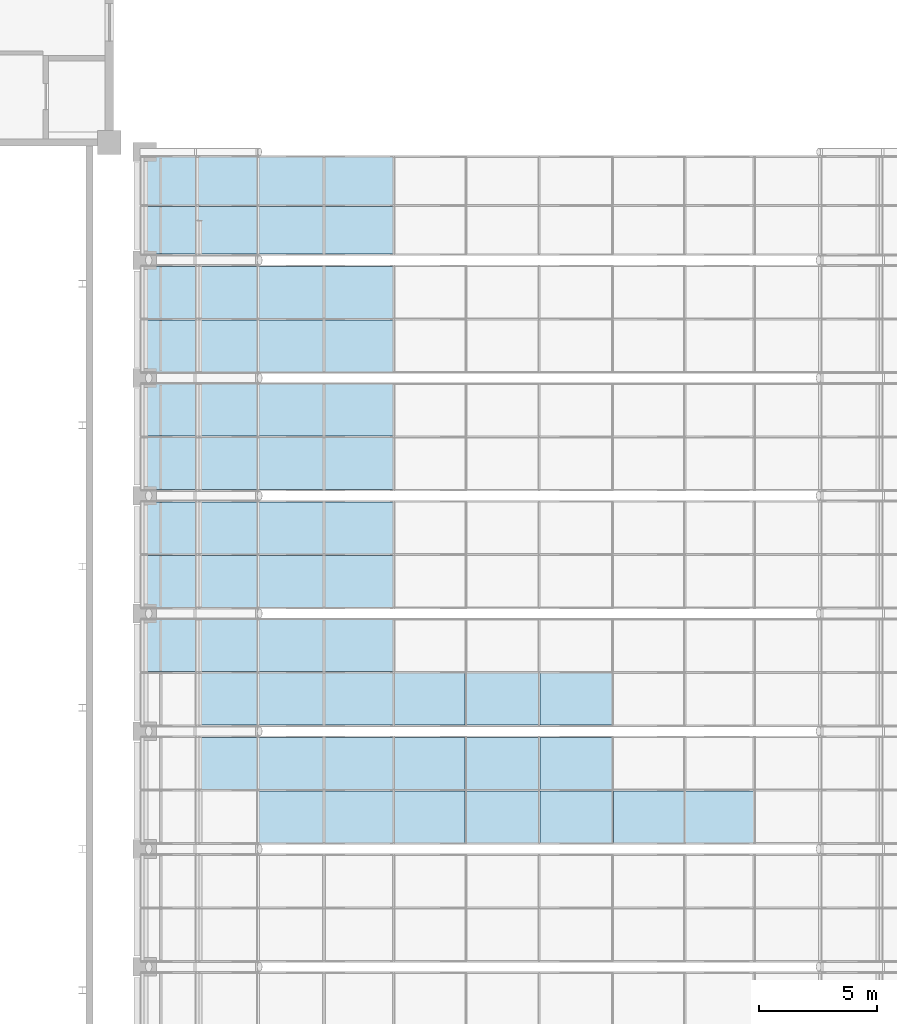
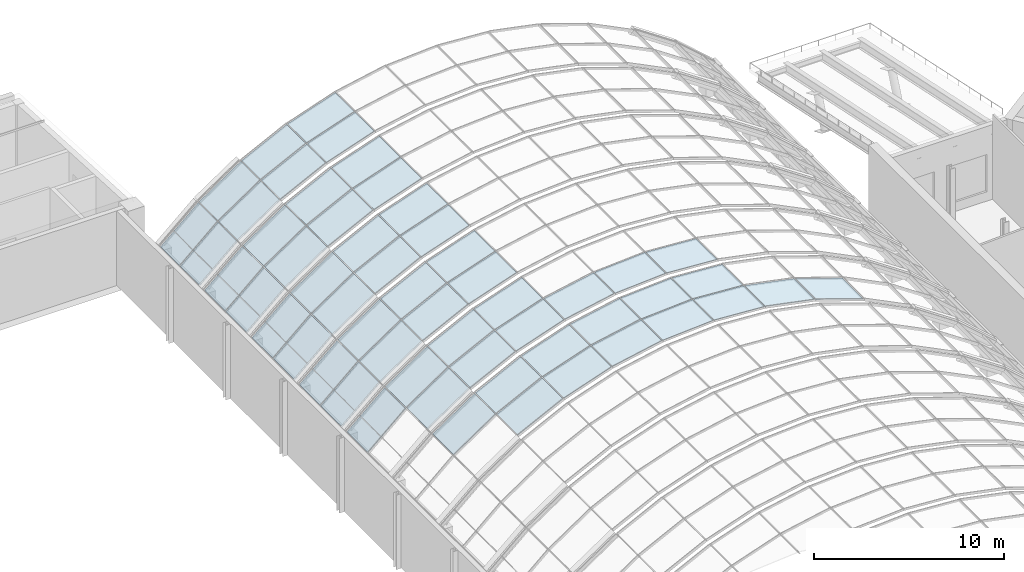
# One storey, part 115 of 182: 55 plates, 6 elements without a shape of their own.
"""IFC4 building model written with IfcOpenShell, lengths in metres."""

from ifc_helpers import new_model, si_unit, direction, frame, origin, place, context, subcontext, project, spatial, polyline, outline, extrude, material, layer, layer_set, type_object, element, aggregate, save


model = new_model("IFC4")

# Units and contexts
model_context = context("Model", 3, precision=1e-05, world=origin(), true_north=direction((0.0, 1.0)))
body_context = subcontext(model_context, "Body", "Model", "MODEL_VIEW")
ifc_project = project(units=[si_unit("LENGTHUNIT", "METRE"), si_unit("AREAUNIT", "SQUARE_METRE"), si_unit("VOLUMEUNIT", "CUBIC_METRE"), si_unit("PLANEANGLEUNIT", "RADIAN"), si_unit("MASSUNIT", "GRAM", prefix="KILO")], contexts=[model_context])

# Site, building, storey
site_placement = place(None, origin())
site = spatial("IfcSite", under=ifc_project, at=site_placement, CompositionType="ELEMENT")
building_placement = place(site_placement, origin())
building = spatial("IfcBuilding", under=site, at=building_placement, Name="Okhra Congress Centre", CompositionType="ELEMENT")
storey_placement = place(building_placement, frame((0.0, 0.0, 7.199951171875)))
storey = spatial("IfcBuildingStorey", under=building, at=storey_placement, Name="L01", CompositionType="ELEMENT", Elevation=7.199951171875)

# Curtain wall, plate
ifc_material_1 = material(Name="Aluminium frame with triple glazing", Category="aluminium")
curtain_wall_type = type_object("IfcCurtainWallType", Name="Glazed vault bay curtain wall", PredefinedType="NOTDEFINED", material=ifc_material_1)
curtain_wall_1_placement = place(storey_placement, origin())
curtain_wall_1 = element("IfcCurtainWall", 1, at=curtain_wall_1_placement, inside=storey, type_object=curtain_wall_type, Name="Vault glazing bay 23", PredefinedType="NOTDEFINED")
ifc_material_2 = material(Name="Laminated toughened glass unit, low-e coating", Category="glass")
ifc_layer_1 = layer(ifc_material_2, 0.035888671875)
ifc_layer_set_1 = layer_set([ifc_layer_1], Name="Laminated safety glazing unit 36 mm")
plate_type_1 = type_object("IfcPlateType", Name="Laminated safety glazing unit 36 mm", PredefinedType="CURTAIN_PANEL", material=ifc_layer_set_1)
plate_1_placement = place(storey_placement, frame((157.740478515625, 188.530029296875, 4.013427734375), z_axis=(-0.55946738617, 0.0, 0.82885236551), x_axis=(0.82885236551, 0.0, 0.55946738617)))
plate_1 = element("IfcPlate", 2, at=plate_1_placement, type_object=plate_type_1, Name="Vault glass panel 23.2.2", PredefinedType="CURTAIN_PANEL", context=body_context, shape_type="SweptSolid", body=[
    extrude(outline(polyline([(0.0, 0.0), (3.0668817430899797, 0.0), (3.0668817430899797, 2.206787109375), (0.0, 2.206787109375), (0.0, 0.0)])), origin(), (0.0, 0.0, -1.0), 0.035888671875),
])

# Curtain wall, plates
curtain_wall_2_placement = place(storey_placement, origin())
curtain_wall_2 = element("IfcCurtainWall", 3, at=curtain_wall_2_placement, inside=storey, type_object=curtain_wall_type, Name="Vault glazing bay 24", PredefinedType="NOTDEFINED")
plate_2_placement = place(storey_placement, frame((157.740478515625, 191.26318359375, 4.013427734375), z_axis=(-0.55946738617, 0.0, 0.82885236551), x_axis=(0.82885236551, 0.0, 0.55946738617)))
plate_2 = element("IfcPlate", 4, at=plate_2_placement, type_object=plate_type_1, Name="Vault glass panel 24.1.2", PredefinedType="CURTAIN_PANEL", context=body_context, shape_type="SweptSolid", body=[
    extrude(outline(polyline([(0.0, 0.0), (3.0668817430899797, 0.0), (3.0668817430899797, 2.206787109375), (0.0, 2.206787109375), (0.0, 0.0)])), origin(), (0.0, 0.0, -1.0), 0.035888671875),
])
plate_3_placement = place(storey_placement, frame((155.3994140625, 193.530029296875, 1.94140625), z_axis=(-0.663696509452, 0.0, 0.748001967472), x_axis=(0.748001967472, 0.0, 0.663696509452)))
plate_3 = element("IfcPlate", 5, at=plate_3_placement, type_object=plate_type_1, Name="Vault glass panel 24.2.1", PredefinedType="CURTAIN_PANEL", context=body_context, shape_type="SweptSolid", body=[
    extrude(outline(polyline([(0.0, 0.0), (3.066763741617069, 0.0), (3.066763741617069, 2.206787109375), (0.0, 2.206787109375), (0.0, 0.0)])), origin(), (0.0, 0.0, -1.0), 0.035888671875),
])
plate_4_placement = place(storey_placement, frame((157.740478515625, 193.530029296875, 4.013427734375), z_axis=(-0.55946738617, 0.0, 0.82885236551), x_axis=(0.82885236551, 0.0, 0.55946738617)))
plate_4 = element("IfcPlate", 6, at=plate_4_placement, type_object=plate_type_1, Name="Vault glass panel 24.2.2", PredefinedType="CURTAIN_PANEL", context=body_context, shape_type="SweptSolid", body=[
    extrude(outline(polyline([(0.0, 0.0), (3.0668817430899797, 0.0), (3.0668817430899797, 2.206787109375), (0.0, 2.206787109375), (0.0, 0.0)])), origin(), (0.0, 0.0, -1.0), 0.035888671875),
])

curtain_wall_3_placement = place(storey_placement, origin())
curtain_wall_3 = element("IfcCurtainWall", 7, at=curtain_wall_3_placement, inside=storey, type_object=curtain_wall_type, Name="Vault glazing bay 25", PredefinedType="NOTDEFINED")
plate_5_placement = place(storey_placement, frame((155.3994140625, 196.26318359375, 1.94140625), z_axis=(-0.663696509452, 0.0, 0.748001967472), x_axis=(0.748001967472, 0.0, 0.663696509452)))
plate_5 = element("IfcPlate", 8, at=plate_5_placement, type_object=plate_type_1, Name="Vault glass panel 25.1.1", PredefinedType="CURTAIN_PANEL", context=body_context, shape_type="SweptSolid", body=[
    extrude(outline(polyline([(0.0, 0.0), (3.066763741617069, 0.0), (3.066763741617069, 2.206787109375), (0.0, 2.206787109375), (0.0, 0.0)])), origin(), (0.0, 0.0, -1.0), 0.035888671875),
])
plate_6_placement = place(storey_placement, frame((157.740478515625, 196.26318359375, 4.013427734375), z_axis=(-0.55946738617, 0.0, 0.82885236551), x_axis=(0.82885236551, 0.0, 0.55946738617)))
plate_6 = element("IfcPlate", 9, at=plate_6_placement, type_object=plate_type_1, Name="Vault glass panel 25.1.2", PredefinedType="CURTAIN_PANEL", context=body_context, shape_type="SweptSolid", body=[
    extrude(outline(polyline([(0.0, 0.0), (3.0668817430899797, 0.0), (3.0668817430899797, 2.206787109375), (0.0, 2.206787109375), (0.0, 0.0)])), origin(), (0.0, 0.0, -1.0), 0.035888671875),
])
plate_7_placement = place(storey_placement, frame((155.3994140625, 198.530029296875, 1.94140625), z_axis=(-0.663696509452, 0.0, 0.748001967472), x_axis=(0.748001967472, 0.0, 0.663696509452)))
plate_7 = element("IfcPlate", 10, at=plate_7_placement, type_object=plate_type_1, Name="Vault glass panel 25.2.1", PredefinedType="CURTAIN_PANEL", context=body_context, shape_type="SweptSolid", body=[
    extrude(outline(polyline([(0.0, 0.0), (3.066763741617069, 0.0), (3.066763741617069, 2.206787109375), (0.0, 2.206787109375), (0.0, 0.0)])), origin(), (0.0, 0.0, -1.0), 0.035888671875),
])
plate_8_placement = place(storey_placement, frame((157.740478515625, 198.530029296875, 4.013427734375), z_axis=(-0.55946738617, 0.0, 0.82885236551), x_axis=(0.82885236551, 0.0, 0.55946738617)))
plate_8 = element("IfcPlate", 11, at=plate_8_placement, type_object=plate_type_1, Name="Vault glass panel 25.2.2", PredefinedType="CURTAIN_PANEL", context=body_context, shape_type="SweptSolid", body=[
    extrude(outline(polyline([(0.0, 0.0), (3.0668817430899797, 0.0), (3.0668817430899797, 2.206787109375), (0.0, 2.206787109375), (0.0, 0.0)])), origin(), (0.0, 0.0, -1.0), 0.035888671875),
])

curtain_wall_4_placement = place(storey_placement, origin())
curtain_wall_4 = element("IfcCurtainWall", 12, at=curtain_wall_4_placement, inside=storey, type_object=curtain_wall_type, Name="Vault glazing bay 26", PredefinedType="NOTDEFINED")
plate_9_placement = place(storey_placement, frame((155.3994140625, 201.26318359375, 1.94140625), z_axis=(-0.663696509452, 0.0, 0.748001967472), x_axis=(0.748001967472, 0.0, 0.663696509452)))
plate_9 = element("IfcPlate", 13, at=plate_9_placement, type_object=plate_type_1, Name="Vault glass panel 26.1.1", PredefinedType="CURTAIN_PANEL", context=body_context, shape_type="SweptSolid", body=[
    extrude(outline(polyline([(0.0, 0.0), (3.066763741617069, 0.0), (3.066763741617069, 2.206787109375), (0.0, 2.206787109375), (0.0, 0.0)])), origin(), (0.0, 0.0, -1.0), 0.035888671875),
])
plate_10_placement = place(storey_placement, frame((157.740478515625, 201.26318359375, 4.013427734375), z_axis=(-0.55946738617, 0.0, 0.82885236551), x_axis=(0.82885236551, 0.0, 0.55946738617)))
plate_10 = element("IfcPlate", 14, at=plate_10_placement, type_object=plate_type_1, Name="Vault glass panel 26.1.2", PredefinedType="CURTAIN_PANEL", context=body_context, shape_type="SweptSolid", body=[
    extrude(outline(polyline([(0.0, 0.0), (3.0668817430899797, 0.0), (3.0668817430899797, 2.206787109375), (0.0, 2.206787109375), (0.0, 0.0)])), origin(), (0.0, 0.0, -1.0), 0.035888671875),
])
plate_11_placement = place(storey_placement, frame((155.3994140625, 203.530029296875, 1.94140625), z_axis=(-0.663696509452, 0.0, 0.748001967472), x_axis=(0.748001967472, 0.0, 0.663696509452)))
plate_11 = element("IfcPlate", 15, at=plate_11_placement, type_object=plate_type_1, Name="Vault glass panel 26.2.1", PredefinedType="CURTAIN_PANEL", context=body_context, shape_type="SweptSolid", body=[
    extrude(outline(polyline([(0.0, 0.0), (3.066763741617069, 0.0), (3.066763741617069, 2.206787109375), (0.0, 2.206787109375), (0.0, 0.0)])), origin(), (0.0, 0.0, -1.0), 0.035888671875),
])
plate_12_placement = place(storey_placement, frame((157.740478515625, 203.530029296875, 4.013427734375), z_axis=(-0.55946738617, 0.0, 0.82885236551), x_axis=(0.82885236551, 0.0, 0.55946738617)))
plate_12 = element("IfcPlate", 16, at=plate_12_placement, type_object=plate_type_1, Name="Vault glass panel 26.2.2", PredefinedType="CURTAIN_PANEL", context=body_context, shape_type="SweptSolid", body=[
    extrude(outline(polyline([(0.0, 0.0), (3.0668817430899797, 0.0), (3.0668817430899797, 2.206787109375), (0.0, 2.206787109375), (0.0, 0.0)])), origin(), (0.0, 0.0, -1.0), 0.035888671875),
])

curtain_wall_5_placement = place(storey_placement, origin())
curtain_wall_5 = element("IfcCurtainWall", 17, at=curtain_wall_5_placement, inside=storey, type_object=curtain_wall_type, Name="Vault glazing bay 27", PredefinedType="NOTDEFINED")
plate_13_placement = place(storey_placement, frame((155.3994140625, 206.26318359375, 1.94140625), z_axis=(-0.663696509452, 0.0, 0.748001967472), x_axis=(0.748001967472, 0.0, 0.663696509452)))
plate_13 = element("IfcPlate", 18, at=plate_13_placement, type_object=plate_type_1, Name="Vault glass panel 27.1.1", PredefinedType="CURTAIN_PANEL", context=body_context, shape_type="SweptSolid", body=[
    extrude(outline(polyline([(0.0, 0.0), (3.066763741617069, 0.0), (3.066763741617069, 2.206787109375), (0.0, 2.206787109375), (0.0, 0.0)])), origin(), (0.0, 0.0, -1.0), 0.035888671875),
])
plate_14_placement = place(storey_placement, frame((157.740478515625, 206.26318359375, 4.013427734375), z_axis=(-0.55946738617, 0.0, 0.82885236551), x_axis=(0.82885236551, 0.0, 0.55946738617)))
plate_14 = element("IfcPlate", 19, at=plate_14_placement, type_object=plate_type_1, Name="Vault glass panel 27.1.2", PredefinedType="CURTAIN_PANEL", context=body_context, shape_type="SweptSolid", body=[
    extrude(outline(polyline([(0.0, 0.0), (3.0668817430899797, 0.0), (3.0668817430899797, 2.206787109375), (0.0, 2.206787109375), (0.0, 0.0)])), origin(), (0.0, 0.0, -1.0), 0.035888671875),
])
plate_15_placement = place(storey_placement, frame((155.3994140625, 208.530029296875, 1.94140625), z_axis=(-0.663696509452, 0.0, 0.748001967472), x_axis=(0.748001967472, 0.0, 0.663696509452)))
plate_15 = element("IfcPlate", 20, at=plate_15_placement, type_object=plate_type_1, Name="Vault glass panel 27.2.1", PredefinedType="CURTAIN_PANEL", context=body_context, shape_type="SweptSolid", body=[
    extrude(outline(polyline([(0.0, 0.0), (3.066763741617069, 0.0), (3.066763741617069, 2.206787109375), (0.0, 2.206787109375), (0.0, 0.0)])), origin(), (0.0, 0.0, -1.0), 0.035888671875),
])
plate_16_placement = place(storey_placement, frame((157.740478515625, 208.530029296875, 4.013427734375), z_axis=(-0.55946738617, 0.0, 0.82885236551), x_axis=(0.82885236551, 0.0, 0.55946738617)))
plate_16 = element("IfcPlate", 21, at=plate_16_placement, type_object=plate_type_1, Name="Vault glass panel 27.2.2", PredefinedType="CURTAIN_PANEL", context=body_context, shape_type="SweptSolid", body=[
    extrude(outline(polyline([(0.0, 0.0), (3.0668817430899797, 0.0), (3.0668817430899797, 2.206787109375), (0.0, 2.206787109375), (0.0, 0.0)])), origin(), (0.0, 0.0, -1.0), 0.035888671875),
])

curtain_wall_6_placement = place(storey_placement, origin())
curtain_wall_6 = element("IfcCurtainWall", 22, at=curtain_wall_6_placement, inside=storey, type_object=curtain_wall_type, Name="Vault glazing bay 28", PredefinedType="NOTDEFINED")
plate_17_placement = place(storey_placement, frame((155.3994140625, 211.26318359375, 1.94140625), z_axis=(-0.663696509452, 0.0, 0.748001967472), x_axis=(0.748001967472, 0.0, 0.663696509452)))
plate_17 = element("IfcPlate", 23, at=plate_17_placement, type_object=plate_type_1, Name="Vault glass panel 28.1.1", PredefinedType="CURTAIN_PANEL", context=body_context, shape_type="SweptSolid", body=[
    extrude(outline(polyline([(0.0, 0.0), (3.066763741617069, 0.0), (3.066763741617069, 2.02734375), (0.0, 2.02734375), (0.0, 0.0)])), origin(), (0.0, 0.0, -1.0), 0.035888671875),
])
plate_18_placement = place(storey_placement, frame((157.740478515625, 211.26318359375, 4.013427734375), z_axis=(-0.55946738617, 0.0, 0.82885236551), x_axis=(0.82885236551, 0.0, 0.55946738617)))
plate_18 = element("IfcPlate", 24, at=plate_18_placement, type_object=plate_type_1, Name="Vault glass panel 28.1.2", PredefinedType="CURTAIN_PANEL", context=body_context, shape_type="SweptSolid", body=[
    extrude(outline(polyline([(0.0, 0.0), (3.0668817430899797, 0.0), (3.0668817430899797, 2.02734375), (0.0, 2.02734375), (0.0, 0.0)])), origin(), (0.0, 0.0, -1.0), 0.035888671875),
])
plate_19_placement = place(storey_placement, frame((155.3994140625, 213.3505859375, 1.94140625), z_axis=(-0.663696509452, 0.0, 0.748001967472), x_axis=(0.748001967472, 0.0, 0.663696509452)))
plate_19 = element("IfcPlate", 25, at=plate_19_placement, type_object=plate_type_1, Name="Vault glass panel 28.2.1", PredefinedType="CURTAIN_PANEL", context=body_context, shape_type="SweptSolid", body=[
    extrude(outline(polyline([(0.0, 0.0), (3.066763741617069, 0.0), (3.066763741617069, 2.02734375), (0.0, 2.02734375), (0.0, 0.0)])), origin(), (0.0, 0.0, -1.0), 0.035888671875),
])
plate_20_placement = place(storey_placement, frame((157.740478515625, 213.3505859375, 4.013427734375), z_axis=(-0.55946738617, 0.0, 0.82885236551), x_axis=(0.82885236551, 0.0, 0.55946738617)))
plate_20 = element("IfcPlate", 26, at=plate_20_placement, type_object=plate_type_1, Name="Vault glass panel 28.2.2", PredefinedType="CURTAIN_PANEL", context=body_context, shape_type="SweptSolid", body=[
    extrude(outline(polyline([(0.0, 0.0), (3.0668817430899797, 0.0), (3.0668817430899797, 2.02734375), (0.0, 2.02734375), (0.0, 0.0)])), origin(), (0.0, 0.0, -1.0), 0.035888671875),
])

# Plate
ifc_material_3 = material(Name="Toughened triple glazed unit")
ifc_layer_2 = layer(ifc_material_3, 0.028076171875)
ifc_layer_set_2 = layer_set([ifc_layer_2], Name="Triple glazed unit 28 mm")
plate_type_2 = type_object("IfcPlateType", Name="Triple glazed unit 28 mm", PredefinedType="CURTAIN_PANEL", material=ifc_layer_set_2)
plate_21_placement = place(storey_placement, frame((160.336181640625, 186.26318359375, 5.756103515625), z_axis=(-0.445588482535, 0.0, 0.895237903706), x_axis=(0.895237903706, 0.0, 0.445588482535)))
plate_21 = element("IfcPlate", 27, at=plate_21_placement, type_object=plate_type_2, Name="Vault glass panel 23.1.3", PredefinedType="CURTAIN_PANEL", context=body_context, shape_type="SweptSolid", body=[
    extrude(outline(polyline([(0.0, 0.0), (3.066082250887193, 0.0), (3.066082250887193, 2.206787109375), (0.0, 2.206787109375), (0.0, 0.0)])), origin(), (0.0, 0.0, -1.0), 0.028076171875),
])

plate_22_placement = place(storey_placement, frame((163.13623046875, 186.26318359375, 7.145263671875), z_axis=(-0.323909017048, 0.0, 0.946088235143), x_axis=(0.946088235143, 0.0, 0.323909017048)))
plate_22 = element("IfcPlate", 28, at=plate_22_placement, type_object=plate_type_2, Name="Vault glass panel 23.1.4", PredefinedType="CURTAIN_PANEL", context=body_context, shape_type="SweptSolid", body=[
    extrude(outline(polyline([(0.0, 0.0), (3.0661822000278622, 0.0), (3.0661822000278622, 2.2067871093750004), (0.0, 2.2067871093750004), (0.0, 0.0)])), origin(), (0.0, 0.0, -1.0), 0.028076171875),
])

plate_23_placement = place(storey_placement, frame((166.094970703125, 186.26318359375, 8.154052734375), z_axis=(-0.196667336174, 0.0, 0.980470274349), x_axis=(0.980470274349, 0.0, 0.196667336174)))
plate_23 = element("IfcPlate", 29, at=plate_23_placement, type_object=plate_type_2, Name="Vault glass panel 23.1.5", PredefinedType="CURTAIN_PANEL", context=body_context, shape_type="SweptSolid", body=[
    extrude(outline(polyline([(0.0, 0.0), (3.0662302926476426, 0.0), (3.0662302926476426, 2.206787109375), (0.0, 2.206787109375), (0.0, 0.0)])), origin(), (0.0, 0.0, -1.0), 0.028076171875),
])

plate_24_placement = place(storey_placement, frame((169.16064453125, 186.26318359375, 8.764892578125), z_axis=(-0.065932355807, 0.0, 0.997824094947), x_axis=(0.997824094947, 0.0, 0.065932355807)))
plate_24 = element("IfcPlate", 30, at=plate_24_placement, type_object=plate_type_2, Name="Vault glass panel 23.1.6", PredefinedType="CURTAIN_PANEL", context=body_context, shape_type="SweptSolid", body=[
    extrude(outline(polyline([(0.0, 0.0), (3.0659974913073613, 0.0), (3.0659974913073613, 2.2067871093750004), (0.0, 2.2067871093750004), (0.0, 0.0)])), origin(), (0.0, 0.0, -1.0), 0.028076171875),
])

plate_25_placement = place(storey_placement, frame((172.280029296875, 186.26318359375, 8.967041015625), z_axis=(0.065932355807, 0.0, 0.997824094947), x_axis=(0.997824094947, 0.0, -0.065932355807)))
plate_25 = element("IfcPlate", 31, at=plate_25_placement, type_object=plate_type_2, Name="Vault glass panel 23.1.7", PredefinedType="CURTAIN_PANEL", context=body_context, shape_type="SweptSolid", body=[
    extrude(outline(polyline([(0.0, 0.0), (3.0659974913073613, 0.0), (3.0659974913073613, 2.2067871093750004), (0.0, 2.2067871093750004), (0.0, 0.0)])), origin(), (0.0, 0.0, -1.0), 0.028076171875),
])

plate_26_placement = place(storey_placement, frame((175.398681640625, 186.26318359375, 8.757080078125), z_axis=(0.196667336174, 0.0, 0.980470274349), x_axis=(0.980470274349, 0.0, -0.196667336174)))
plate_26 = element("IfcPlate", 32, at=plate_26_placement, type_object=plate_type_2, Name="Vault glass panel 23.1.8", PredefinedType="CURTAIN_PANEL", context=body_context, shape_type="SweptSolid", body=[
    extrude(outline(polyline([(0.0, 0.0), (3.0662302926476426, 0.0), (3.0662302926476426, 2.206787109375), (0.0, 2.206787109375), (0.0, 0.0)])), origin(), (0.0, 0.0, -1.0), 0.028076171875),
])

plate_27_placement = place(storey_placement, frame((178.462890625, 186.26318359375, 8.138427734375), z_axis=(0.323909017048, 0.0, 0.946088235143), x_axis=(0.946088235143, 0.0, -0.323909017048)))
plate_27 = element("IfcPlate", 33, at=plate_27_placement, type_object=plate_type_2, Name="Vault glass panel 23.1.9", PredefinedType="CURTAIN_PANEL", context=body_context, shape_type="SweptSolid", body=[
    extrude(outline(polyline([(0.0, 0.0), (3.0661822000278622, 0.0), (3.0661822000278622, 2.2067871093750004), (0.0, 2.2067871093750004), (0.0, 0.0)])), origin(), (0.0, 0.0, -1.0), 0.028076171875),
])

plate_28_placement = place(storey_placement, frame((160.336181640625, 188.530029296875, 5.756103515625), z_axis=(-0.445588482535, 0.0, 0.895237903706), x_axis=(0.895237903706, 0.0, 0.445588482535)))
plate_28 = element("IfcPlate", 34, at=plate_28_placement, type_object=plate_type_2, Name="Vault glass panel 23.2.3", PredefinedType="CURTAIN_PANEL", context=body_context, shape_type="SweptSolid", body=[
    extrude(outline(polyline([(0.0, 0.0), (3.066082250887193, 0.0), (3.066082250887193, 2.206787109375), (0.0, 2.206787109375), (0.0, 0.0)])), origin(), (0.0, 0.0, -1.0), 0.028076171875),
])

plate_29_placement = place(storey_placement, frame((163.13623046875, 188.530029296875, 7.145263671875), z_axis=(-0.323909017048, 0.0, 0.946088235143), x_axis=(0.946088235143, 0.0, 0.323909017048)))
plate_29 = element("IfcPlate", 35, at=plate_29_placement, type_object=plate_type_2, Name="Vault glass panel 23.2.4", PredefinedType="CURTAIN_PANEL", context=body_context, shape_type="SweptSolid", body=[
    extrude(outline(polyline([(0.0, 0.0), (3.0661822000278622, 0.0), (3.0661822000278622, 2.2067871093750004), (0.0, 2.2067871093750004), (0.0, 0.0)])), origin(), (0.0, 0.0, -1.0), 0.028076171875),
])

plate_30_placement = place(storey_placement, frame((166.094970703125, 188.530029296875, 8.154052734375), z_axis=(-0.196667336174, 0.0, 0.980470274349), x_axis=(0.980470274349, 0.0, 0.196667336174)))
plate_30 = element("IfcPlate", 36, at=plate_30_placement, type_object=plate_type_2, Name="Vault glass panel 23.2.5", PredefinedType="CURTAIN_PANEL", context=body_context, shape_type="SweptSolid", body=[
    extrude(outline(polyline([(0.0, 0.0), (3.0662302926476426, 0.0), (3.0662302926476426, 2.206787109375), (0.0, 2.206787109375), (0.0, 0.0)])), origin(), (0.0, 0.0, -1.0), 0.028076171875),
])

plate_31_placement = place(storey_placement, frame((169.16064453125, 188.530029296875, 8.764892578125), z_axis=(-0.065932355807, 0.0, 0.997824094947), x_axis=(0.997824094947, 0.0, 0.065932355807)))
plate_31 = element("IfcPlate", 37, at=plate_31_placement, type_object=plate_type_2, Name="Vault glass panel 23.2.6", PredefinedType="CURTAIN_PANEL", context=body_context, shape_type="SweptSolid", body=[
    extrude(outline(polyline([(0.0, 0.0), (3.0659974913073613, 0.0), (3.0659974913073613, 2.2067871093750004), (0.0, 2.2067871093750004), (0.0, 0.0)])), origin(), (0.0, 0.0, -1.0), 0.028076171875),
])

plate_32_placement = place(storey_placement, frame((172.280029296875, 188.530029296875, 8.967041015625), z_axis=(0.065932355807, 0.0, 0.997824094947), x_axis=(0.997824094947, 0.0, -0.065932355807)))
plate_32 = element("IfcPlate", 38, at=plate_32_placement, type_object=plate_type_2, Name="Vault glass panel 23.2.7", PredefinedType="CURTAIN_PANEL", context=body_context, shape_type="SweptSolid", body=[
    extrude(outline(polyline([(0.0, 0.0), (3.0659974913073613, 0.0), (3.0659974913073613, 2.2067871093750004), (0.0, 2.2067871093750004), (0.0, 0.0)])), origin(), (0.0, 0.0, -1.0), 0.028076171875),
])

aggregate(curtain_wall_1, [plate_21, plate_22, plate_23, plate_24, plate_25, plate_26, plate_27, plate_1, plate_28, plate_29, plate_30, plate_31, plate_32])

plate_33_placement = place(storey_placement, frame((160.336181640625, 191.26318359375, 5.756103515625), z_axis=(-0.445588482535, 0.0, 0.895237903706), x_axis=(0.895237903706, 0.0, 0.445588482535)))
plate_33 = element("IfcPlate", 39, at=plate_33_placement, type_object=plate_type_2, Name="Vault glass panel 24.1.3", PredefinedType="CURTAIN_PANEL", context=body_context, shape_type="SweptSolid", body=[
    extrude(outline(polyline([(0.0, 0.0), (3.066082250887193, 0.0), (3.066082250887193, 2.206787109375), (0.0, 2.206787109375), (0.0, 0.0)])), origin(), (0.0, 0.0, -1.0), 0.028076171875),
])

plate_34_placement = place(storey_placement, frame((163.13623046875, 191.26318359375, 7.145263671875), z_axis=(-0.323909017048, 0.0, 0.946088235143), x_axis=(0.946088235143, 0.0, 0.323909017048)))
plate_34 = element("IfcPlate", 40, at=plate_34_placement, type_object=plate_type_2, Name="Vault glass panel 24.1.4", PredefinedType="CURTAIN_PANEL", context=body_context, shape_type="SweptSolid", body=[
    extrude(outline(polyline([(0.0, 0.0), (3.0661822000278622, 0.0), (3.0661822000278622, 2.2067871093750004), (0.0, 2.2067871093750004), (0.0, 0.0)])), origin(), (0.0, 0.0, -1.0), 0.028076171875),
])

plate_35_placement = place(storey_placement, frame((166.094970703125, 191.26318359375, 8.154052734375), z_axis=(-0.196667336174, 0.0, 0.980470274349), x_axis=(0.980470274349, 0.0, 0.196667336174)))
plate_35 = element("IfcPlate", 41, at=plate_35_placement, type_object=plate_type_2, Name="Vault glass panel 24.1.5", PredefinedType="CURTAIN_PANEL", context=body_context, shape_type="SweptSolid", body=[
    extrude(outline(polyline([(0.0, 0.0), (3.0662302926476426, 0.0), (3.0662302926476426, 2.206787109375), (0.0, 2.206787109375), (0.0, 0.0)])), origin(), (0.0, 0.0, -1.0), 0.028076171875),
])

plate_36_placement = place(storey_placement, frame((169.16064453125, 191.26318359375, 8.764892578125), z_axis=(-0.065932355807, 0.0, 0.997824094947), x_axis=(0.997824094947, 0.0, 0.065932355807)))
plate_36 = element("IfcPlate", 42, at=plate_36_placement, type_object=plate_type_2, Name="Vault glass panel 24.1.6", PredefinedType="CURTAIN_PANEL", context=body_context, shape_type="SweptSolid", body=[
    extrude(outline(polyline([(0.0, 0.0), (3.0659974913073613, 0.0), (3.0659974913073613, 2.2067871093750004), (0.0, 2.2067871093750004), (0.0, 0.0)])), origin(), (0.0, 0.0, -1.0), 0.028076171875),
])

plate_37_placement = place(storey_placement, frame((172.280029296875, 191.26318359375, 8.967041015625), z_axis=(0.065932355807, 0.0, 0.997824094947), x_axis=(0.997824094947, 0.0, -0.065932355807)))
plate_37 = element("IfcPlate", 43, at=plate_37_placement, type_object=plate_type_2, Name="Vault glass panel 24.1.7", PredefinedType="CURTAIN_PANEL", context=body_context, shape_type="SweptSolid", body=[
    extrude(outline(polyline([(0.0, 0.0), (3.0659974913073613, 0.0), (3.0659974913073613, 2.2067871093750004), (0.0, 2.2067871093750004), (0.0, 0.0)])), origin(), (0.0, 0.0, -1.0), 0.028076171875),
])

plate_38_placement = place(storey_placement, frame((160.336181640625, 193.530029296875, 5.756103515625), z_axis=(-0.445588482535, 0.0, 0.895237903706), x_axis=(0.895237903706, 0.0, 0.445588482535)))
plate_38 = element("IfcPlate", 44, at=plate_38_placement, type_object=plate_type_2, Name="Vault glass panel 24.2.3", PredefinedType="CURTAIN_PANEL", context=body_context, shape_type="SweptSolid", body=[
    extrude(outline(polyline([(0.0, 0.0), (3.066082250887193, 0.0), (3.066082250887193, 2.206787109375), (0.0, 2.206787109375), (0.0, 0.0)])), origin(), (0.0, 0.0, -1.0), 0.028076171875),
])

plate_39_placement = place(storey_placement, frame((163.13623046875, 193.530029296875, 7.145263671875), z_axis=(-0.323909017048, 0.0, 0.946088235143), x_axis=(0.946088235143, 0.0, 0.323909017048)))
plate_39 = element("IfcPlate", 45, at=plate_39_placement, type_object=plate_type_2, Name="Vault glass panel 24.2.4", PredefinedType="CURTAIN_PANEL", context=body_context, shape_type="SweptSolid", body=[
    extrude(outline(polyline([(0.0, 0.0), (3.0661822000278622, 0.0), (3.0661822000278622, 2.2067871093750004), (0.0, 2.2067871093750004), (0.0, 0.0)])), origin(), (0.0, 0.0, -1.0), 0.028076171875),
])

aggregate(curtain_wall_2, [plate_2, plate_33, plate_34, plate_35, plate_36, plate_37, plate_3, plate_4, plate_38, plate_39])

plate_40_placement = place(storey_placement, frame((160.336181640625, 196.26318359375, 5.756103515625), z_axis=(-0.445588482535, 0.0, 0.895237903706), x_axis=(0.895237903706, 0.0, 0.445588482535)))
plate_40 = element("IfcPlate", 46, at=plate_40_placement, type_object=plate_type_2, Name="Vault glass panel 25.1.3", PredefinedType="CURTAIN_PANEL", context=body_context, shape_type="SweptSolid", body=[
    extrude(outline(polyline([(0.0, 0.0), (3.066082250887193, 0.0), (3.066082250887193, 2.206787109375), (0.0, 2.206787109375), (0.0, 0.0)])), origin(), (0.0, 0.0, -1.0), 0.028076171875),
])

plate_41_placement = place(storey_placement, frame((163.13623046875, 196.26318359375, 7.145263671875), z_axis=(-0.323909017048, 0.0, 0.946088235143), x_axis=(0.946088235143, 0.0, 0.323909017048)))
plate_41 = element("IfcPlate", 47, at=plate_41_placement, type_object=plate_type_2, Name="Vault glass panel 25.1.4", PredefinedType="CURTAIN_PANEL", context=body_context, shape_type="SweptSolid", body=[
    extrude(outline(polyline([(0.0, 0.0), (3.0661822000278622, 0.0), (3.0661822000278622, 2.2067871093750004), (0.0, 2.2067871093750004), (0.0, 0.0)])), origin(), (0.0, 0.0, -1.0), 0.028076171875),
])

plate_42_placement = place(storey_placement, frame((160.336181640625, 198.530029296875, 5.756103515625), z_axis=(-0.445588482535, 0.0, 0.895237903706), x_axis=(0.895237903706, 0.0, 0.445588482535)))
plate_42 = element("IfcPlate", 48, at=plate_42_placement, type_object=plate_type_2, Name="Vault glass panel 25.2.3", PredefinedType="CURTAIN_PANEL", context=body_context, shape_type="SweptSolid", body=[
    extrude(outline(polyline([(0.0, 0.0), (3.066082250887193, 0.0), (3.066082250887193, 2.206787109375), (0.0, 2.206787109375), (0.0, 0.0)])), origin(), (0.0, 0.0, -1.0), 0.028076171875),
])

plate_43_placement = place(storey_placement, frame((163.13623046875, 198.530029296875, 7.145263671875), z_axis=(-0.323909017048, 0.0, 0.946088235143), x_axis=(0.946088235143, 0.0, 0.323909017048)))
plate_43 = element("IfcPlate", 49, at=plate_43_placement, type_object=plate_type_2, Name="Vault glass panel 25.2.4", PredefinedType="CURTAIN_PANEL", context=body_context, shape_type="SweptSolid", body=[
    extrude(outline(polyline([(0.0, 0.0), (3.0661822000278622, 0.0), (3.0661822000278622, 2.2067871093750004), (0.0, 2.2067871093750004), (0.0, 0.0)])), origin(), (0.0, 0.0, -1.0), 0.028076171875),
])

aggregate(curtain_wall_3, [plate_5, plate_6, plate_40, plate_41, plate_7, plate_8, plate_42, plate_43])

plate_44_placement = place(storey_placement, frame((160.336181640625, 201.26318359375, 5.756103515625), z_axis=(-0.445588482535, 0.0, 0.895237903706), x_axis=(0.895237903706, 0.0, 0.445588482535)))
plate_44 = element("IfcPlate", 50, at=plate_44_placement, type_object=plate_type_2, Name="Vault glass panel 26.1.3", PredefinedType="CURTAIN_PANEL", context=body_context, shape_type="SweptSolid", body=[
    extrude(outline(polyline([(0.0, 0.0), (3.066082250887193, 0.0), (3.066082250887193, 2.206787109375), (0.0, 2.206787109375), (0.0, 0.0)])), origin(), (0.0, 0.0, -1.0), 0.028076171875),
])

plate_45_placement = place(storey_placement, frame((163.13623046875, 201.26318359375, 7.145263671875), z_axis=(-0.323909017048, 0.0, 0.946088235143), x_axis=(0.946088235143, 0.0, 0.323909017048)))
plate_45 = element("IfcPlate", 51, at=plate_45_placement, type_object=plate_type_2, Name="Vault glass panel 26.1.4", PredefinedType="CURTAIN_PANEL", context=body_context, shape_type="SweptSolid", body=[
    extrude(outline(polyline([(0.0, 0.0), (3.0661822000278622, 0.0), (3.0661822000278622, 2.2067871093750004), (0.0, 2.2067871093750004), (0.0, 0.0)])), origin(), (0.0, 0.0, -1.0), 0.028076171875),
])

plate_46_placement = place(storey_placement, frame((160.336181640625, 203.530029296875, 5.756103515625), z_axis=(-0.445588482535, 0.0, 0.895237903706), x_axis=(0.895237903706, 0.0, 0.445588482535)))
plate_46 = element("IfcPlate", 52, at=plate_46_placement, type_object=plate_type_2, Name="Vault glass panel 26.2.3", PredefinedType="CURTAIN_PANEL", context=body_context, shape_type="SweptSolid", body=[
    extrude(outline(polyline([(0.0, 0.0), (3.066082250887193, 0.0), (3.066082250887193, 2.206787109375), (0.0, 2.206787109375), (0.0, 0.0)])), origin(), (0.0, 0.0, -1.0), 0.028076171875),
])

plate_47_placement = place(storey_placement, frame((163.13623046875, 203.530029296875, 7.145263671875), z_axis=(-0.323909017048, 0.0, 0.946088235143), x_axis=(0.946088235143, 0.0, 0.323909017048)))
plate_47 = element("IfcPlate", 53, at=plate_47_placement, type_object=plate_type_2, Name="Vault glass panel 26.2.4", PredefinedType="CURTAIN_PANEL", context=body_context, shape_type="SweptSolid", body=[
    extrude(outline(polyline([(0.0, 0.0), (3.0661822000278622, 0.0), (3.0661822000278622, 2.2067871093750004), (0.0, 2.2067871093750004), (0.0, 0.0)])), origin(), (0.0, 0.0, -1.0), 0.028076171875),
])

aggregate(curtain_wall_4, [plate_9, plate_10, plate_44, plate_45, plate_11, plate_12, plate_46, plate_47])

plate_48_placement = place(storey_placement, frame((160.336181640625, 206.26318359375, 5.756103515625), z_axis=(-0.445588482535, 0.0, 0.895237903706), x_axis=(0.895237903706, 0.0, 0.445588482535)))
plate_48 = element("IfcPlate", 54, at=plate_48_placement, type_object=plate_type_2, Name="Vault glass panel 27.1.3", PredefinedType="CURTAIN_PANEL", context=body_context, shape_type="SweptSolid", body=[
    extrude(outline(polyline([(0.0, 0.0), (3.066082250887193, 0.0), (3.066082250887193, 2.206787109375), (0.0, 2.206787109375), (0.0, 0.0)])), origin(), (0.0, 0.0, -1.0), 0.028076171875),
])

plate_49_placement = place(storey_placement, frame((163.13623046875, 206.26318359375, 7.145263671875), z_axis=(-0.323909017048, 0.0, 0.946088235143), x_axis=(0.946088235143, 0.0, 0.323909017048)))
plate_49 = element("IfcPlate", 55, at=plate_49_placement, type_object=plate_type_2, Name="Vault glass panel 27.1.4", PredefinedType="CURTAIN_PANEL", context=body_context, shape_type="SweptSolid", body=[
    extrude(outline(polyline([(0.0, 0.0), (3.0661822000278622, 0.0), (3.0661822000278622, 2.2067871093750004), (0.0, 2.2067871093750004), (0.0, 0.0)])), origin(), (0.0, 0.0, -1.0), 0.028076171875),
])

plate_50_placement = place(storey_placement, frame((160.336181640625, 208.530029296875, 5.756103515625), z_axis=(-0.445588482535, 0.0, 0.895237903706), x_axis=(0.895237903706, 0.0, 0.445588482535)))
plate_50 = element("IfcPlate", 56, at=plate_50_placement, type_object=plate_type_2, Name="Vault glass panel 27.2.3", PredefinedType="CURTAIN_PANEL", context=body_context, shape_type="SweptSolid", body=[
    extrude(outline(polyline([(0.0, 0.0), (3.066082250887193, 0.0), (3.066082250887193, 2.206787109375), (0.0, 2.206787109375), (0.0, 0.0)])), origin(), (0.0, 0.0, -1.0), 0.028076171875),
])

plate_51_placement = place(storey_placement, frame((163.13623046875, 208.530029296875, 7.145263671875), z_axis=(-0.323909017048, 0.0, 0.946088235143), x_axis=(0.946088235143, 0.0, 0.323909017048)))
plate_51 = element("IfcPlate", 57, at=plate_51_placement, type_object=plate_type_2, Name="Vault glass panel 27.2.4", PredefinedType="CURTAIN_PANEL", context=body_context, shape_type="SweptSolid", body=[
    extrude(outline(polyline([(0.0, 0.0), (3.0661822000278622, 0.0), (3.0661822000278622, 2.2067871093750004), (0.0, 2.2067871093750004), (0.0, 0.0)])), origin(), (0.0, 0.0, -1.0), 0.028076171875),
])

aggregate(curtain_wall_5, [plate_13, plate_14, plate_48, plate_49, plate_15, plate_16, plate_50, plate_51])

plate_52_placement = place(storey_placement, frame((160.336181640625, 211.26318359375, 5.756103515625), z_axis=(-0.445588482535, 0.0, 0.895237903706), x_axis=(0.895237903706, 0.0, 0.445588482535)))
plate_52 = element("IfcPlate", 58, at=plate_52_placement, type_object=plate_type_2, Name="Vault glass panel 28.1.3", PredefinedType="CURTAIN_PANEL", context=body_context, shape_type="SweptSolid", body=[
    extrude(outline(polyline([(0.0, 0.0), (3.0660822508871926, 0.0), (3.0660822508871926, 2.02734375), (0.0, 2.02734375), (0.0, 0.0)])), origin(), (0.0, 0.0, -1.0), 0.028076171875),
])

plate_53_placement = place(storey_placement, frame((163.13623046875, 211.26318359375, 7.145263671875), z_axis=(-0.323909017048, 0.0, 0.946088235143), x_axis=(0.946088235143, 0.0, 0.323909017048)))
plate_53 = element("IfcPlate", 59, at=plate_53_placement, type_object=plate_type_2, Name="Vault glass panel 28.1.4", PredefinedType="CURTAIN_PANEL", context=body_context, shape_type="SweptSolid", body=[
    extrude(outline(polyline([(0.0, 0.0), (3.0661822000278622, 0.0), (3.0661822000278622, 2.02734375), (0.0, 2.02734375), (0.0, 0.0)])), origin(), (0.0, 0.0, -1.0), 0.028076171875),
])

plate_54_placement = place(storey_placement, frame((160.336181640625, 213.3505859375, 5.756103515625), z_axis=(-0.445588482535, 0.0, 0.895237903706), x_axis=(0.895237903706, 0.0, 0.445588482535)))
plate_54 = element("IfcPlate", 60, at=plate_54_placement, type_object=plate_type_2, Name="Vault glass panel 28.2.3", PredefinedType="CURTAIN_PANEL", context=body_context, shape_type="SweptSolid", body=[
    extrude(outline(polyline([(0.0, 0.0), (3.0660822508871926, 0.0), (3.0660822508871926, 2.02734375), (0.0, 2.02734375), (0.0, 0.0)])), origin(), (0.0, 0.0, -1.0), 0.028076171875),
])

plate_55_placement = place(storey_placement, frame((163.13623046875, 213.3505859375, 7.145263671875), z_axis=(-0.323909017048, 0.0, 0.946088235143), x_axis=(0.946088235143, 0.0, 0.323909017048)))
plate_55 = element("IfcPlate", 61, at=plate_55_placement, type_object=plate_type_2, Name="Vault glass panel 28.2.4", PredefinedType="CURTAIN_PANEL", context=body_context, shape_type="SweptSolid", body=[
    extrude(outline(polyline([(0.0, 0.0), (3.0661822000278622, 0.0), (3.0661822000278622, 2.02734375), (0.0, 2.02734375), (0.0, 0.0)])), origin(), (0.0, 0.0, -1.0), 0.028076171875),
])

aggregate(curtain_wall_6, [plate_17, plate_18, plate_52, plate_53, plate_19, plate_20, plate_54, plate_55])

save(model, "model.ifc")
